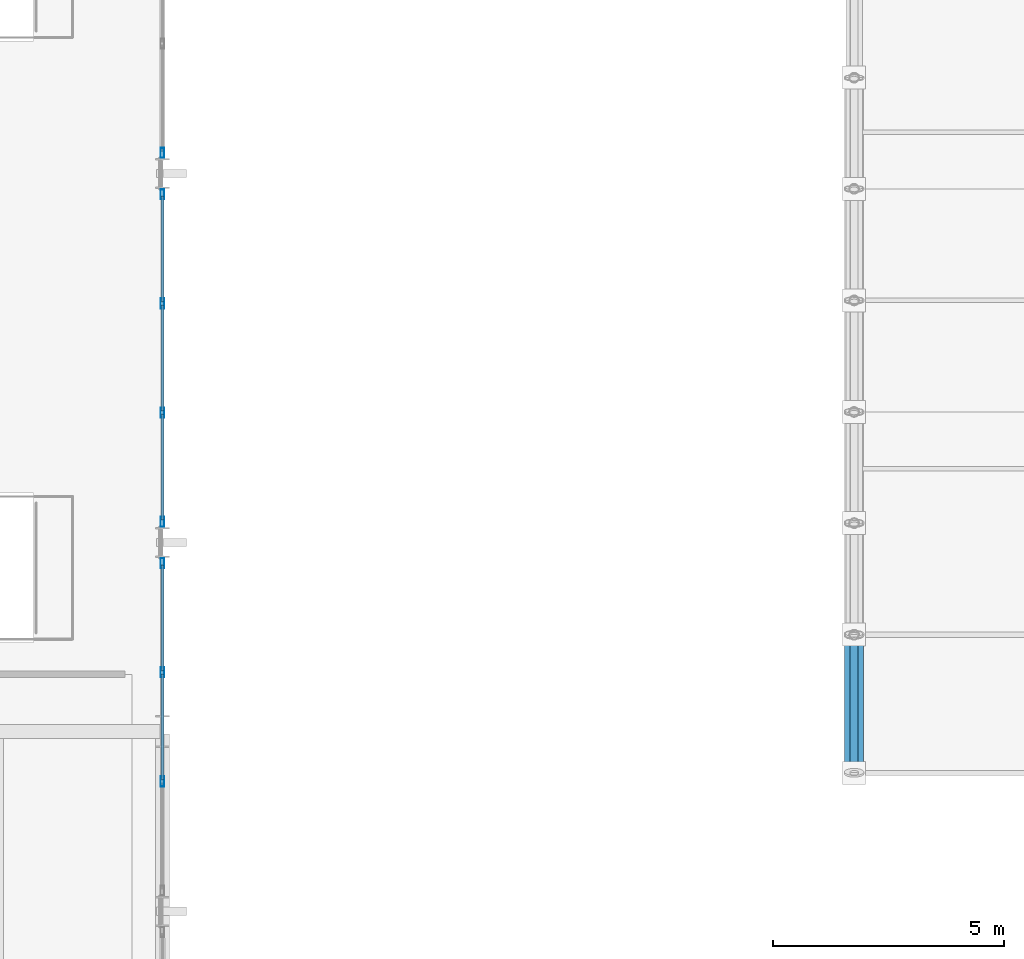
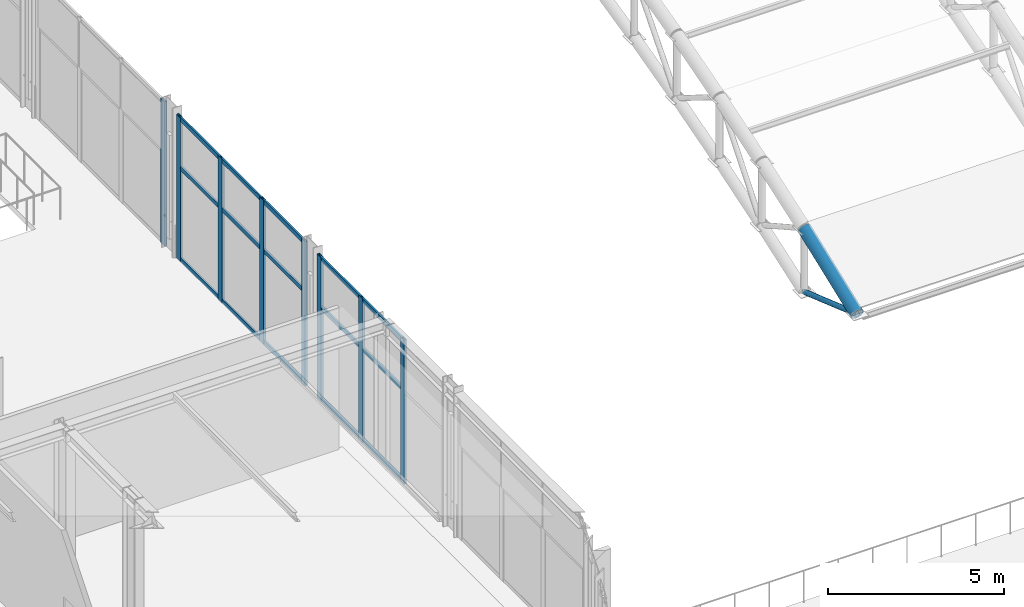
# One storey, part 66 of 195: 25 members, 3 elements without a shape of their own.
"""IFC4 building model written with IfcOpenShell, lengths in metres."""

from ifc_helpers import new_model, si_unit, direction, frame, origin, origin_2d, place, context, subcontext, project, spatial, hollow_rectangle, hollow_circle, extrude, material, layer, layer_set, material_profile, profile_set, type_object, element, aggregate, save


model = new_model("IFC4")

# Units and contexts
model_context = context("Model", 3, precision=1e-05, world=origin(), true_north=direction((0.0, 1.0)))
body_context = subcontext(model_context, "Body", "Model", "MODEL_VIEW")
ifc_project = project(units=[si_unit("LENGTHUNIT", "METRE"), si_unit("AREAUNIT", "SQUARE_METRE"), si_unit("VOLUMEUNIT", "CUBIC_METRE"), si_unit("PLANEANGLEUNIT", "RADIAN"), si_unit("MASSUNIT", "GRAM", prefix="KILO")], contexts=[model_context])

# Site, building, storey
site_placement = place(None, origin())
site = spatial("IfcSite", under=ifc_project, at=site_placement, CompositionType="ELEMENT")
building_placement = place(site_placement, origin())
building = spatial("IfcBuilding", under=site, at=building_placement, Name="Marlcrest Central Station", CompositionType="ELEMENT")
storey_placement = place(building_placement, frame((0.0, 0.0, 9.800048828125)))
storey = spatial("IfcBuildingStorey", under=building, at=storey_placement, Name="L02", CompositionType="ELEMENT", Elevation=9.800048828125)

# Members
ifc_material_1 = material(Name="Steel S355", Category="steel")
ifc_material_profile_1 = material_profile(ifc_material_1, hollow_circle(Radius=0.203125, WallThickness=0.02001953125, at=origin_2d()), Name="CHS 406.4x20")
ifc_profile_set_1 = profile_set([ifc_material_profile_1], Name="Steel S355")
member_type_1 = type_object("IfcMemberType", Name="AC-01", PredefinedType="CHORD", material=ifc_profile_set_1)
member_1_placement = place(storey_placement, frame((144.0, 33.5, 0.44580078125), z_axis=(0.0, 0.933324071143, 0.359035065453), x_axis=(-1.0, 0.0, 0.0)))
element("IfcMember", 1, at=member_1_placement, inside=storey, type_object=member_type_1, Name="mem-AC-01-L02-01090", PredefinedType="CHORD", context=body_context, shape_type="SweptSolid", body=[
    extrude(hollow_circle(Radius=0.203125, WallThickness=0.02001953125, at=origin_2d()), origin(), (0.0, 0.0, 1.0), 3.21435546875),
])
ifc_material_profile_2 = material_profile(ifc_material_1, hollow_circle(Radius=0.084228515625, WallThickness=0.010009765625, at=origin_2d()), Name="CHS 168.3x10")
ifc_profile_set_2 = profile_set([ifc_material_profile_2], Name="Steel S355")
member_type_2 = type_object("IfcMemberType", Name="AD-01", PredefinedType="BRACE", material=ifc_profile_set_2)
member_2_placement = place(storey_placement, frame((144.0, 36.5, -0.60009765625), z_axis=(0.0, -0.944260188635, 0.329200085296), x_axis=(1.0, 0.0, 0.0)))
element("IfcMember", 2, at=member_2_placement, inside=storey, type_object=member_type_2, Name="mem-AD-01-L02-01091", PredefinedType="BRACE", context=body_context, shape_type="SweptSolid", body=[
    extrude(hollow_circle(Radius=0.084228515625, WallThickness=0.010009765625, at=origin_2d()), origin(), (0.0, 0.0, 1.0), 3.177001953125),
])

# Curtain wall, members
ifc_material_2 = material(Name="Anodised aluminium and hurricane laminated glass", Category="aluminium")
ifc_layer = layer(ifc_material_2, 0.219970703125, Name="CW-U1")
ifc_layer_set = layer_set([ifc_layer], Name="Anodised aluminium and hurricane laminated glass")
curtain_wall_type = type_object("IfcCurtainWallType", Name="CW-U1", PredefinedType="USERDEFINED", material=ifc_layer_set)
curtain_wall_1_placement = place(storey_placement, origin())
curtain_wall_1 = element("IfcCurtainWall", 3, at=curtain_wall_1_placement, inside=storey, type_object=curtain_wall_type, Name="cw-L02-0104", ObjectType="UNITISED_CURTAIN_WALL", PredefinedType="USERDEFINED")
ifc_material_3 = material(Name="Anodised aluminium 6063-T6", Category="aluminium")
ifc_material_profile_3 = material_profile(ifc_material_3, hollow_rectangle(XDim=0.080078125, YDim=0.219970703125, WallThickness=0.006103515625, at=origin_2d()), Name="AA-RHS 220x80x6")
ifc_profile_set_3 = profile_set([ifc_material_profile_3], Name="Anodised aluminium 6063-T6")
member_type_3 = type_object("IfcMemberType", Name="ML-01", PredefinedType="MULLION", material=ifc_profile_set_3)
member_3_placement = place(storey_placement, frame((129.0, 38.050048828125, -0.030029296875), z_axis=(0.0, 0.0, 1.0), x_axis=(1.0, 0.0, 0.0)))
member_3 = element("IfcMember", 4, at=member_3_placement, type_object=member_type_3, Name="cw-L02-0104-ml-0", PredefinedType="MULLION", context=body_context, shape_type="SweptSolid", body=[
    extrude(hollow_rectangle(XDim=0.080078125, YDim=0.219970703125, WallThickness=0.006103515625, at=origin_2d()), origin(), (0.0, 0.0, 1.0), 5.010009765625),
])
member_4_placement = place(storey_placement, frame((129.0, 35.683349609375, -0.030029296875), z_axis=(0.0, 0.0, 1.0), x_axis=(1.0, 0.0, 0.0)))
member_4 = element("IfcMember", 5, at=member_4_placement, type_object=member_type_3, Name="cw-L02-0104-ml-1", PredefinedType="MULLION", context=body_context, shape_type="SweptSolid", body=[
    extrude(hollow_rectangle(XDim=0.080078125, YDim=0.219970703125, WallThickness=0.006103515625, at=origin_2d()), origin(), (0.0, 0.0, 1.0), 5.010009765625),
])
member_5_placement = place(storey_placement, frame((129.0, 33.316650390625, -0.030029296875), z_axis=(0.0, 0.0, 1.0), x_axis=(1.0, 0.0, 0.0)))
member_5 = element("IfcMember", 6, at=member_5_placement, type_object=member_type_3, Name="cw-L02-0104-ml-2", PredefinedType="MULLION", context=body_context, shape_type="SweptSolid", body=[
    extrude(hollow_rectangle(XDim=0.080078125, YDim=0.219970703125, WallThickness=0.006103515625, at=origin_2d()), origin(), (0.0, 0.0, 1.0), 5.010009765625),
])

curtain_wall_2_placement = place(storey_placement, origin())
curtain_wall_2 = element("IfcCurtainWall", 7, at=curtain_wall_2_placement, inside=storey, type_object=curtain_wall_type, Name="cw-L02-0108", ObjectType="UNITISED_CURTAIN_WALL", PredefinedType="USERDEFINED")
member_6_placement = place(storey_placement, frame((129.0, 46.050048828125, -0.030029296875), z_axis=(0.0, 0.0, 1.0), x_axis=(1.0, 0.0, 0.0)))
member_6 = element("IfcMember", 8, at=member_6_placement, type_object=member_type_3, Name="cw-L02-0108-ml-0", PredefinedType="MULLION", context=body_context, shape_type="SweptSolid", body=[
    extrude(hollow_rectangle(XDim=0.080078125, YDim=0.219970703125, WallThickness=0.006103515625, at=origin_2d()), origin(), (0.0, 0.0, 1.0), 5.010009765625),
])
member_7_placement = place(storey_placement, frame((129.0, 43.683349609375, -0.030029296875), z_axis=(0.0, 0.0, 1.0), x_axis=(1.0, 0.0, 0.0)))
member_7 = element("IfcMember", 9, at=member_7_placement, type_object=member_type_3, Name="cw-L02-0108-ml-1", PredefinedType="MULLION", context=body_context, shape_type="SweptSolid", body=[
    extrude(hollow_rectangle(XDim=0.080078125, YDim=0.219970703125, WallThickness=0.006103515625, at=origin_2d()), origin(), (0.0, 0.0, 1.0), 5.010009765625),
])
member_8_placement = place(storey_placement, frame((129.0, 41.316650390625, -0.030029296875), z_axis=(0.0, 0.0, 1.0), x_axis=(1.0, 0.0, 0.0)))
member_8 = element("IfcMember", 10, at=member_8_placement, type_object=member_type_3, Name="cw-L02-0108-ml-2", PredefinedType="MULLION", context=body_context, shape_type="SweptSolid", body=[
    extrude(hollow_rectangle(XDim=0.080078125, YDim=0.219970703125, WallThickness=0.006103515625, at=origin_2d()), origin(), (0.0, 0.0, 1.0), 5.010009765625),
])
member_9_placement = place(storey_placement, frame((129.0, 38.949951171875, -0.030029296875), z_axis=(0.0, 0.0, 1.0), x_axis=(1.0, 0.0, 0.0)))
member_9 = element("IfcMember", 11, at=member_9_placement, type_object=member_type_3, Name="cw-L02-0108-ml-3", PredefinedType="MULLION", context=body_context, shape_type="SweptSolid", body=[
    extrude(hollow_rectangle(XDim=0.080078125, YDim=0.219970703125, WallThickness=0.006103515625, at=origin_2d()), origin(), (0.0, 0.0, 1.0), 5.010009765625),
])

# Curtain wall, member
curtain_wall_3_placement = place(storey_placement, origin())
curtain_wall_3 = element("IfcCurtainWall", 12, at=curtain_wall_3_placement, inside=storey, type_object=curtain_wall_type, Name="cw-L02-0112", ObjectType="UNITISED_CURTAIN_WALL", PredefinedType="USERDEFINED")
member_10_placement = place(storey_placement, frame((129.0, 46.949951171875, -0.030029296875), z_axis=(0.0, 0.0, 1.0), x_axis=(1.0, 0.0, 0.0)))
member_10 = element("IfcMember", 13, at=member_10_placement, type_object=member_type_3, Name="cw-L02-0112-ml-3", PredefinedType="MULLION", context=body_context, shape_type="SweptSolid", body=[
    extrude(hollow_rectangle(XDim=0.080078125, YDim=0.219970703125, WallThickness=0.006103515625, at=origin_2d()), origin(), (0.0, 0.0, 1.0), 5.010009765625),
])
aggregate(curtain_wall_3, [member_10])

# Member
ifc_material_profile_4 = material_profile(ifc_material_3, hollow_rectangle(XDim=0.06005859375, YDim=0.14990234375, WallThickness=0.00390625, at=origin_2d()), Name="AA-RHS 150x60x4")
ifc_profile_set_4 = profile_set([ifc_material_profile_4], Name="Anodised aluminium 6063-T6")
member_type_4 = type_object("IfcMemberType", Name="TR-01", PredefinedType="USERDEFINED", material=ifc_profile_set_4)
member_11_placement = place(storey_placement, frame((129.0, 38.011962890625, 0.0400390625), z_axis=(0.0, -1.0, 0.0), x_axis=(1.0, 0.0, 0.0)))
member_11 = element("IfcMember", 14, at=member_11_placement, type_object=member_type_4, Name="cw-L02-0104-tr-0-sill", ObjectType="TRANSOM", PredefinedType="USERDEFINED", context=body_context, shape_type="SweptSolid", body=[
    extrude(hollow_rectangle(XDim=0.06005859375, YDim=0.14990234375, WallThickness=0.00390625, at=origin_2d()), origin(), (0.0, 0.0, 1.0), 2.290771484375),
])

member_12_placement = place(storey_placement, frame((129.0, 38.011962890625, 3.218017578125), z_axis=(0.0, -1.0, 0.0), x_axis=(1.0, 0.0, 0.0)))
member_12 = element("IfcMember", 15, at=member_12_placement, type_object=member_type_4, Name="cw-L02-0104-tr-0-mid", ObjectType="TRANSOM", PredefinedType="USERDEFINED", context=body_context, shape_type="SweptSolid", body=[
    extrude(hollow_rectangle(XDim=0.06005859375, YDim=0.14990234375, WallThickness=0.00390625, at=origin_2d()), origin(), (0.0, 0.0, 1.0), 2.290771484375),
])

member_13_placement = place(storey_placement, frame((129.0, 38.011962890625, 4.909912109375), z_axis=(0.0, -1.0, 0.0), x_axis=(1.0, 0.0, 0.0)))
member_13 = element("IfcMember", 16, at=member_13_placement, type_object=member_type_4, Name="cw-L02-0104-tr-0-head", ObjectType="TRANSOM", PredefinedType="USERDEFINED", context=body_context, shape_type="SweptSolid", body=[
    extrude(hollow_rectangle(XDim=0.06005859375, YDim=0.14990234375, WallThickness=0.00390625, at=origin_2d()), origin(), (0.0, 0.0, 1.0), 2.290771484375),
])

member_14_placement = place(storey_placement, frame((129.0, 35.645263671875, 0.0400390625), z_axis=(0.0, -1.0, 0.0), x_axis=(1.0, 0.0, 0.0)))
member_14 = element("IfcMember", 17, at=member_14_placement, type_object=member_type_4, Name="cw-L02-0104-tr-1-sill", ObjectType="TRANSOM", PredefinedType="USERDEFINED", context=body_context, shape_type="SweptSolid", body=[
    extrude(hollow_rectangle(XDim=0.06005859375, YDim=0.14990234375, WallThickness=0.00390625, at=origin_2d()), origin(), (0.0, 0.0, 1.0), 2.29052734375),
])

member_15_placement = place(storey_placement, frame((129.0, 35.645263671875, 3.218017578125), z_axis=(0.0, -1.0, 0.0), x_axis=(1.0, 0.0, 0.0)))
member_15 = element("IfcMember", 18, at=member_15_placement, type_object=member_type_4, Name="cw-L02-0104-tr-1-mid", ObjectType="TRANSOM", PredefinedType="USERDEFINED", context=body_context, shape_type="SweptSolid", body=[
    extrude(hollow_rectangle(XDim=0.06005859375, YDim=0.14990234375, WallThickness=0.00390625, at=origin_2d()), origin(), (0.0, 0.0, 1.0), 2.29052734375),
])

member_16_placement = place(storey_placement, frame((129.0, 35.645263671875, 4.909912109375), z_axis=(0.0, -1.0, 0.0), x_axis=(1.0, 0.0, 0.0)))
member_16 = element("IfcMember", 19, at=member_16_placement, type_object=member_type_4, Name="cw-L02-0104-tr-1-head", ObjectType="TRANSOM", PredefinedType="USERDEFINED", context=body_context, shape_type="SweptSolid", body=[
    extrude(hollow_rectangle(XDim=0.06005859375, YDim=0.14990234375, WallThickness=0.00390625, at=origin_2d()), origin(), (0.0, 0.0, 1.0), 2.29052734375),
])

aggregate(curtain_wall_1, [member_3, member_4, member_5, member_11, member_12, member_13, member_14, member_15, member_16])

member_17_placement = place(storey_placement, frame((129.0, 46.011962890625, 0.0400390625), z_axis=(0.0, -1.0, 0.0), x_axis=(1.0, 0.0, 0.0)))
member_17 = element("IfcMember", 20, at=member_17_placement, type_object=member_type_4, Name="cw-L02-0108-tr-0-sill", ObjectType="TRANSOM", PredefinedType="USERDEFINED", context=body_context, shape_type="SweptSolid", body=[
    extrude(hollow_rectangle(XDim=0.06005859375, YDim=0.14990234375, WallThickness=0.00390625, at=origin_2d()), origin(), (0.0, 0.0, 1.0), 2.290771484375),
])

member_18_placement = place(storey_placement, frame((129.0, 46.011962890625, 3.218017578125), z_axis=(0.0, -1.0, 0.0), x_axis=(1.0, 0.0, 0.0)))
member_18 = element("IfcMember", 21, at=member_18_placement, type_object=member_type_4, Name="cw-L02-0108-tr-0-mid", ObjectType="TRANSOM", PredefinedType="USERDEFINED", context=body_context, shape_type="SweptSolid", body=[
    extrude(hollow_rectangle(XDim=0.06005859375, YDim=0.14990234375, WallThickness=0.00390625, at=origin_2d()), origin(), (0.0, 0.0, 1.0), 2.290771484375),
])

member_19_placement = place(storey_placement, frame((129.0, 46.011962890625, 4.909912109375), z_axis=(0.0, -1.0, 0.0), x_axis=(1.0, 0.0, 0.0)))
member_19 = element("IfcMember", 22, at=member_19_placement, type_object=member_type_4, Name="cw-L02-0108-tr-0-head", ObjectType="TRANSOM", PredefinedType="USERDEFINED", context=body_context, shape_type="SweptSolid", body=[
    extrude(hollow_rectangle(XDim=0.06005859375, YDim=0.14990234375, WallThickness=0.00390625, at=origin_2d()), origin(), (0.0, 0.0, 1.0), 2.290771484375),
])

member_20_placement = place(storey_placement, frame((129.0, 43.645263671875, 0.0400390625), z_axis=(0.0, -1.0, 0.0), x_axis=(1.0, 0.0, 0.0)))
member_20 = element("IfcMember", 23, at=member_20_placement, type_object=member_type_4, Name="cw-L02-0108-tr-1-sill", ObjectType="TRANSOM", PredefinedType="USERDEFINED", context=body_context, shape_type="SweptSolid", body=[
    extrude(hollow_rectangle(XDim=0.06005859375, YDim=0.14990234375, WallThickness=0.00390625, at=origin_2d()), origin(), (0.0, 0.0, 1.0), 2.29052734375),
])

member_21_placement = place(storey_placement, frame((129.0, 43.645263671875, 3.218017578125), z_axis=(0.0, -1.0, 0.0), x_axis=(1.0, 0.0, 0.0)))
member_21 = element("IfcMember", 24, at=member_21_placement, type_object=member_type_4, Name="cw-L02-0108-tr-1-mid", ObjectType="TRANSOM", PredefinedType="USERDEFINED", context=body_context, shape_type="SweptSolid", body=[
    extrude(hollow_rectangle(XDim=0.06005859375, YDim=0.14990234375, WallThickness=0.00390625, at=origin_2d()), origin(), (0.0, 0.0, 1.0), 2.29052734375),
])

member_22_placement = place(storey_placement, frame((129.0, 43.645263671875, 4.909912109375), z_axis=(0.0, -1.0, 0.0), x_axis=(1.0, 0.0, 0.0)))
member_22 = element("IfcMember", 25, at=member_22_placement, type_object=member_type_4, Name="cw-L02-0108-tr-1-head", ObjectType="TRANSOM", PredefinedType="USERDEFINED", context=body_context, shape_type="SweptSolid", body=[
    extrude(hollow_rectangle(XDim=0.06005859375, YDim=0.14990234375, WallThickness=0.00390625, at=origin_2d()), origin(), (0.0, 0.0, 1.0), 2.29052734375),
])

member_23_placement = place(storey_placement, frame((129.0, 41.27880859375, 0.0400390625), z_axis=(0.0, -1.0, 0.0), x_axis=(1.0, 0.0, 0.0)))
member_23 = element("IfcMember", 26, at=member_23_placement, type_object=member_type_4, Name="cw-L02-0108-tr-2-sill", ObjectType="TRANSOM", PredefinedType="USERDEFINED", context=body_context, shape_type="SweptSolid", body=[
    extrude(hollow_rectangle(XDim=0.06005859375, YDim=0.14990234375, WallThickness=0.00390625, at=origin_2d()), origin(), (0.0, 0.0, 1.0), 2.290771484375),
])

member_24_placement = place(storey_placement, frame((129.0, 41.27880859375, 3.218017578125), z_axis=(0.0, -1.0, 0.0), x_axis=(1.0, 0.0, 0.0)))
member_24 = element("IfcMember", 27, at=member_24_placement, type_object=member_type_4, Name="cw-L02-0108-tr-2-mid", ObjectType="TRANSOM", PredefinedType="USERDEFINED", context=body_context, shape_type="SweptSolid", body=[
    extrude(hollow_rectangle(XDim=0.06005859375, YDim=0.14990234375, WallThickness=0.00390625, at=origin_2d()), origin(), (0.0, 0.0, 1.0), 2.290771484375),
])

member_25_placement = place(storey_placement, frame((129.0, 41.27880859375, 4.909912109375), z_axis=(0.0, -1.0, 0.0), x_axis=(1.0, 0.0, 0.0)))
member_25 = element("IfcMember", 28, at=member_25_placement, type_object=member_type_4, Name="cw-L02-0108-tr-2-head", ObjectType="TRANSOM", PredefinedType="USERDEFINED", context=body_context, shape_type="SweptSolid", body=[
    extrude(hollow_rectangle(XDim=0.06005859375, YDim=0.14990234375, WallThickness=0.00390625, at=origin_2d()), origin(), (0.0, 0.0, 1.0), 2.290771484375),
])

aggregate(curtain_wall_2, [member_6, member_7, member_8, member_9, member_17, member_18, member_19, member_20, member_21, member_22, member_23, member_24, member_25])

save(model, "model.ifc")
